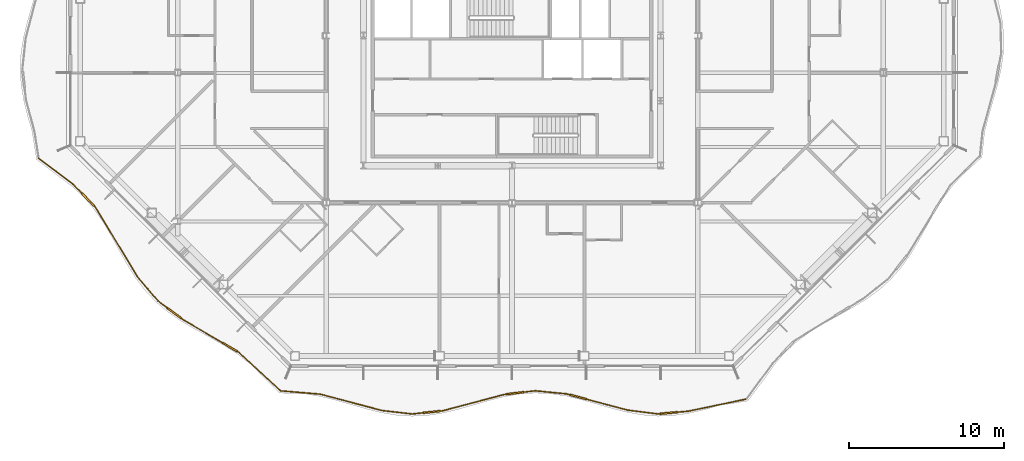
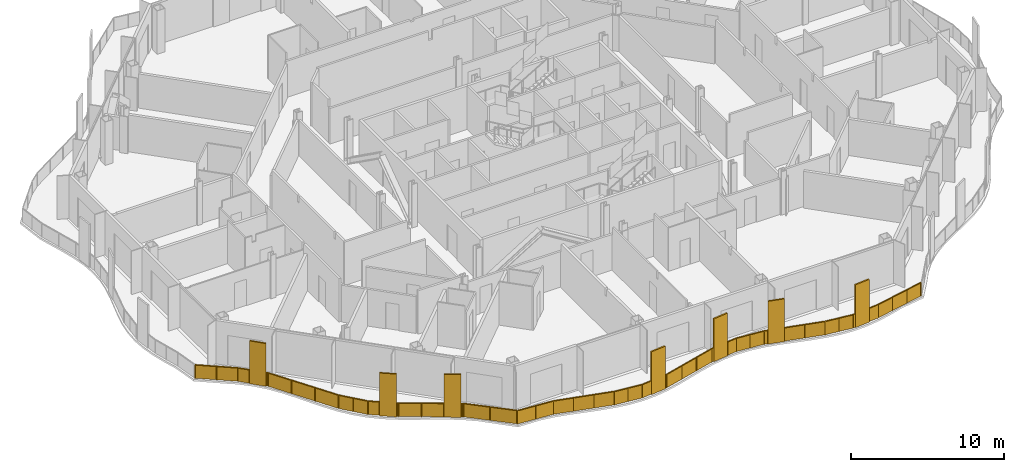
# One storey, part 15 of 21: 2 railings.
"""IFC4 building model written with IfcOpenShell, lengths in metres."""

from ifc_helpers import new_model, si_unit, direction, frame, origin, origin_2d, place, context, subcontext, project, spatial, polyline, rectangle, outline, extrude, material, type_object, element, save


model = new_model("IFC4")

# Units and contexts
model_context = context("Model", 3, precision=1e-05, world=origin(), true_north=direction((0.0, 1.0)))
body_context = subcontext(model_context, "Body", "Model", "MODEL_VIEW")
ifc_project = project(units=[si_unit("LENGTHUNIT", "METRE"), si_unit("AREAUNIT", "SQUARE_METRE"), si_unit("VOLUMEUNIT", "CUBIC_METRE"), si_unit("PLANEANGLEUNIT", "RADIAN"), si_unit("MASSUNIT", "GRAM", prefix="KILO")], contexts=[model_context])

# Site, building, storey
site_placement = place(None, origin())
site = spatial("IfcSite", under=ifc_project, at=site_placement, CompositionType="ELEMENT")
building_placement = place(site_placement, origin())
building = spatial("IfcBuilding", under=site, at=building_placement, Name="Cairn Pilgrim Tower", CompositionType="ELEMENT")
storey_placement = place(building_placement, frame((0.0, 0.0, 154.199951171875)))
storey = spatial("IfcBuildingStorey", under=building, at=storey_placement, Name="L38", CompositionType="ELEMENT", Elevation=154.199951171875)

# Railings
ifc_material = material(Name="Bronze anodised aluminium rail, posts and fin screens with laminated glass infill", Category="aluminium")
railing_type = type_object("IfcRailingType", Name="BALCONY GUARD WITH FIN SCREENS", PredefinedType="GUARDRAIL", material=ifc_material)
railing_1_placement = place(storey_placement, frame((-7.75732421875, -20.5546875, 0.0)))
element("IfcRailing", 1, at=railing_1_placement, inside=storey, type_object=railing_type, Name="Balcony guard BGF-1 with fin screens", PredefinedType="GUARDRAIL", context=body_context, shape_type="SweptSolid", body=[
    extrude(rectangle(XDim=0.050048828125, YDim=0.050048828125, at=origin_2d()), frame((0.0, 0.0, 1.0751953125), z_axis=(0.996560763813, -0.082865216035, 0.0), x_axis=(0.082865216035, 0.996560763813, 0.0)), (0.0, 0.0, 1.0), 2.577880859375),
    extrude(rectangle(XDim=0.050048828125, YDim=0.050048828125, at=origin_2d()), frame((2.569091796875, -0.213623046875, 1.0751953125), z_axis=(0.966494562134, -0.256687088426, 0.0), x_axis=(0.256687088426, 0.966494562134, 0.0)), (0.0, 0.0, 1.0), 4.112548828125),
    extrude(rectangle(XDim=0.050048828125, YDim=0.050048828125, at=origin_2d()), frame((6.5439453125, -1.269287109375, 1.0751953125), z_axis=(0.993477082591, -0.114031953273, 0.0), x_axis=(0.114031953273, 0.993477082591, 0.0)), (0.0, 0.0, 1.0), 1.971923828125),
    extrude(rectangle(XDim=1.10009765625, YDim=0.110107421875, at=origin_2d()), frame((9.764892578125, -1.36376953125, 0.0), z_axis=(0.0, 0.0, 1.0), x_axis=(0.99470141865, 0.102806068578, 0.0)), (0.0, 0.0, 1.0), 3.39990234375),
    extrude(rectangle(XDim=0.050048828125, YDim=0.050048828125, at=origin_2d()), frame((8.5029296875, -1.494140625, 1.0751953125), z_axis=(0.99470141865, 0.102806068578, 0.0), x_axis=(-0.102806068578, 0.99470141865, 0.0)), (0.0, 0.0, 1.0), 0.71875),
    extrude(rectangle(XDim=0.050048828125, YDim=0.050048828125, at=origin_2d()), frame((10.31201171875, -1.30712890625, 1.0751953125), z_axis=(0.99470141865, 0.102806068578, 0.0), x_axis=(-0.102806068578, 0.99470141865, 0.0)), (0.0, 0.0, 1.0), 0.14990234375),
    extrude(rectangle(XDim=0.050048828125, YDim=0.050048828125, at=origin_2d()), frame((10.461181640625, -1.291748046875, 1.0751953125), z_axis=(0.96653901121, 0.25651966749, 0.0), x_axis=(-0.25651966749, 0.96653901121, 0.0)), (0.0, 0.0, 1.0), 4.108642578125),
    extrude(rectangle(XDim=1.10009765625, YDim=0.110107421875, at=origin_2d()), frame((15.1689453125, -0.14892578125, 0.0), z_axis=(0.0, 0.0, 1.0), x_axis=(0.992811163519, 0.119691242758, 0.0)), (0.0, 0.0, 1.0), 3.39990234375),
    extrude(rectangle(XDim=0.050048828125, YDim=0.050048828125, at=origin_2d()), frame((14.432373046875, -0.23779296875, 1.0751953125), z_axis=(0.992811163519, 0.119691242758, 0.0), x_axis=(-0.119691242758, 0.992811163519, 0.0)), (0.0, 0.0, 1.0), 0.19189453125),
    extrude(rectangle(XDim=0.050048828125, YDim=0.050048828125, at=origin_2d()), frame((15.71484375, -0.083251953125, 1.0751953125), z_axis=(0.992811163519, 0.119691242758, 0.0), x_axis=(-0.119691242758, 0.992811163519, 0.0)), (0.0, 0.0, 1.0), 0.73583984375),
    extrude(rectangle(XDim=0.050048828125, YDim=0.050048828125, at=origin_2d()), frame((16.4453125, 0.0048828125, 1.0751953125), z_axis=(0.995275486759, -0.097091222351, 0.0), x_axis=(0.097091222351, 0.995275486759, 0.0)), (0.0, 0.0, 1.0), 2.024169921875),
    extrude(rectangle(XDim=1.10009765625, YDim=0.110107421875, at=origin_2d()), frame((19.22705078125, -0.39501953125, 0.0), z_axis=(0.0, 0.0, 1.0), x_axis=(0.966589784713, -0.256328281873, 0.0)), (0.0, 0.0, 1.0), 3.39990234375),
    extrude(rectangle(XDim=0.050048828125, YDim=0.050048828125, at=origin_2d()), frame((18.4599609375, -0.191650390625, 1.0751953125), z_axis=(0.966589784713, -0.256328281873, 0.0), x_axis=(0.256328281873, 0.966589784713, 0.0)), (0.0, 0.0, 1.0), 0.24365234375),
    extrude(rectangle(XDim=0.050048828125, YDim=0.050048828125, at=origin_2d()), frame((19.7587890625, -0.5361328125, 1.0751953125), z_axis=(0.966589784713, -0.256328281873, 0.0), x_axis=(0.256328281873, 0.966589784713, 0.0)), (0.0, 0.0, 1.0), 2.76806640625),
    extrude(rectangle(XDim=0.050048828125, YDim=0.050048828125, at=origin_2d()), frame((22.434326171875, -1.24560546875, 1.0751953125), z_axis=(0.992132705095, -0.125190636555, 0.0), x_axis=(0.125190636555, 0.992132705095, 0.0)), (0.0, 0.0, 1.0), 1.9755859375),
    extrude(rectangle(XDim=1.10009765625, YDim=0.110107421875, at=origin_2d()), frame((25.091552734375, -1.428955078125, 0.0), z_axis=(0.0, 0.0, 1.0), x_axis=(0.995818705168, 0.091351554109, 0.0)), (0.0, 0.0, 1.0), 3.39990234375),
    extrude(rectangle(XDim=0.050048828125, YDim=0.050048828125, at=origin_2d()), frame((24.394287109375, -1.492919921875, 1.0751953125), z_axis=(0.995818705168, 0.091351554109, 0.0), x_axis=(-0.091351554109, 0.995818705168, 0.0)), (0.0, 0.0, 1.0), 0.150146484375),
    extrude(rectangle(XDim=0.050048828125, YDim=0.050048828125, at=origin_2d()), frame((25.63916015625, -1.378662109375, 1.0751953125), z_axis=(0.995818705168, 0.091351554109, 0.0), x_axis=(-0.091351554109, 0.995818705168, 0.0)), (0.0, 0.0, 1.0), 0.719482421875),
    extrude(rectangle(XDim=0.050048828125, YDim=0.050048828125, at=origin_2d()), frame((26.355712890625, -1.31298828125, 1.0751953125), z_axis=(0.978817480653, 0.204734803022, 0.0), x_axis=(-0.204734803022, 0.978817480653, 0.0)), (0.0, 0.0, 1.0), 3.771728515625),
    extrude(rectangle(XDim=0.050048828125, YDim=0.050048828125, at=origin_2d()), origin(), (0.0, 0.0, 1.0), 1.050048828125),
    extrude(rectangle(XDim=0.050048828125, YDim=0.050048828125, at=origin_2d()), frame((1.28466796875, -0.10693359375, 0.0)), (0.0, 0.0, 1.0), 1.050048828125),
    extrude(rectangle(XDim=0.050048828125, YDim=0.050048828125, at=origin_2d()), frame((2.569091796875, -0.213623046875, 0.0)), (0.0, 0.0, 1.0), 1.050048828125),
    extrude(rectangle(XDim=0.050048828125, YDim=0.050048828125, at=origin_2d()), frame((3.89404296875, -0.5654296875, 0.0)), (0.0, 0.0, 1.0), 1.050048828125),
    extrude(rectangle(XDim=0.050048828125, YDim=0.050048828125, at=origin_2d()), frame((5.218994140625, -0.91748046875, 0.0)), (0.0, 0.0, 1.0), 1.050048828125),
    extrude(rectangle(XDim=0.050048828125, YDim=0.050048828125, at=origin_2d()), frame((6.5439453125, -1.269287109375, 0.0)), (0.0, 0.0, 1.0), 1.050048828125),
    extrude(rectangle(XDim=0.050048828125, YDim=0.050048828125, at=origin_2d()), frame((7.5234375, -1.3818359375, 0.0)), (0.0, 0.0, 1.0), 1.050048828125),
    extrude(rectangle(XDim=0.050048828125, YDim=0.050048828125, at=origin_2d()), frame((8.5029296875, -1.494140625, 0.0)), (0.0, 0.0, 1.0), 1.050048828125),
    extrude(rectangle(XDim=0.050048828125, YDim=0.050048828125, at=origin_2d()), frame((9.19287109375, -1.4228515625, 0.0)), (0.0, 0.0, 1.0), 1.050048828125),
    extrude(rectangle(XDim=0.050048828125, YDim=0.050048828125, at=origin_2d()), frame((10.3369140625, -1.3046875, 0.0)), (0.0, 0.0, 1.0), 1.050048828125),
    extrude(rectangle(XDim=0.050048828125, YDim=0.050048828125, at=origin_2d()), frame((10.461181640625, -1.291748046875, 0.0)), (0.0, 0.0, 1.0), 1.050048828125),
    extrude(rectangle(XDim=0.050048828125, YDim=0.050048828125, at=origin_2d()), frame((11.784912109375, -0.9404296875, 0.0)), (0.0, 0.0, 1.0), 1.050048828125),
    extrude(rectangle(XDim=0.050048828125, YDim=0.050048828125, at=origin_2d()), frame((13.108642578125, -0.589111328125, 0.0)), (0.0, 0.0, 1.0), 1.050048828125),
    extrude(rectangle(XDim=0.050048828125, YDim=0.050048828125, at=origin_2d()), frame((14.432373046875, -0.23779296875, 0.0)), (0.0, 0.0, 1.0), 1.050048828125),
    extrude(rectangle(XDim=0.050048828125, YDim=0.050048828125, at=origin_2d()), frame((14.597900390625, -0.2177734375, 0.0)), (0.0, 0.0, 1.0), 1.050048828125),
    extrude(rectangle(XDim=0.050048828125, YDim=0.050048828125, at=origin_2d()), frame((15.73974609375, -0.080078125, 0.0)), (0.0, 0.0, 1.0), 1.050048828125),
    extrude(rectangle(XDim=0.050048828125, YDim=0.050048828125, at=origin_2d()), frame((16.4453125, 0.0048828125, 0.0)), (0.0, 0.0, 1.0), 1.050048828125),
    extrude(rectangle(XDim=0.050048828125, YDim=0.050048828125, at=origin_2d()), frame((17.45263671875, -0.09326171875, 0.0)), (0.0, 0.0, 1.0), 1.050048828125),
    extrude(rectangle(XDim=0.050048828125, YDim=0.050048828125, at=origin_2d()), frame((18.4599609375, -0.191650390625, 0.0)), (0.0, 0.0, 1.0), 1.050048828125),
    extrude(rectangle(XDim=0.050048828125, YDim=0.050048828125, at=origin_2d()), frame((18.67138671875, -0.247802734375, 0.0)), (0.0, 0.0, 1.0), 1.050048828125),
    extrude(rectangle(XDim=0.050048828125, YDim=0.050048828125, at=origin_2d()), frame((19.782958984375, -0.54248046875, 0.0)), (0.0, 0.0, 1.0), 1.050048828125),
    extrude(rectangle(XDim=0.050048828125, YDim=0.050048828125, at=origin_2d()), frame((21.108642578125, -0.89404296875, 0.0)), (0.0, 0.0, 1.0), 1.050048828125),
    extrude(rectangle(XDim=0.050048828125, YDim=0.050048828125, at=origin_2d()), frame((22.434326171875, -1.24560546875, 0.0)), (0.0, 0.0, 1.0), 1.050048828125),
    extrude(rectangle(XDim=0.050048828125, YDim=0.050048828125, at=origin_2d()), frame((23.414306640625, -1.369140625, 0.0)), (0.0, 0.0, 1.0), 1.050048828125),
    extrude(rectangle(XDim=0.050048828125, YDim=0.050048828125, at=origin_2d()), frame((24.394287109375, -1.492919921875, 0.0)), (0.0, 0.0, 1.0), 1.050048828125),
    extrude(rectangle(XDim=0.050048828125, YDim=0.050048828125, at=origin_2d()), frame((24.518798828125, -1.4814453125, 0.0)), (0.0, 0.0, 1.0), 1.050048828125),
    extrude(rectangle(XDim=0.050048828125, YDim=0.050048828125, at=origin_2d()), frame((25.6640625, -1.37646484375, 0.0)), (0.0, 0.0, 1.0), 1.050048828125),
    extrude(rectangle(XDim=0.050048828125, YDim=0.050048828125, at=origin_2d()), frame((26.355712890625, -1.31298828125, 0.0)), (0.0, 0.0, 1.0), 1.050048828125),
    extrude(rectangle(XDim=0.050048828125, YDim=0.050048828125, at=origin_2d()), frame((27.58642578125, -1.0556640625, 0.0)), (0.0, 0.0, 1.0), 1.050048828125),
    extrude(rectangle(XDim=0.050048828125, YDim=0.050048828125, at=origin_2d()), frame((28.81689453125, -0.798095703125, 0.0)), (0.0, 0.0, 1.0), 1.050048828125),
    extrude(rectangle(XDim=0.050048828125, YDim=0.050048828125, at=origin_2d()), frame((30.047607421875, -0.540771484375, 0.0)), (0.0, 0.0, 1.0), 1.050048828125),
    extrude(outline(polyline([(0.02490234375, 0.0), (1.263916015625, 0.0), (1.263916015625, 1.050048828125), (0.02490234375, 1.050048828125), (0.02490234375, 0.0)])), frame((0.00048828125, 0.005859375, 0.0), z_axis=(-0.082865216035, -0.996560763813, 0.0), x_axis=(0.996560763813, -0.082865216035, 0.0)), (0.0, 0.0, 1.0), 0.011962890625),
    extrude(outline(polyline([(0.02490234375, 0.0), (1.263916015625, 0.0), (1.263916015625, 1.050048828125), (0.02490234375, 1.050048828125), (0.02490234375, 0.0)])), frame((1.28515625, -0.100830078125, 0.0), z_axis=(-0.082865216035, -0.996560763813, 0.0), x_axis=(0.996560763813, -0.082865216035, 0.0)), (0.0, 0.0, 1.0), 0.011962890625),
    extrude(outline(polyline([(0.02490234375, 0.0), (1.345947265625, 0.0), (1.345947265625, 1.050048828125), (0.02490234375, 1.050048828125), (0.02490234375, 0.0)])), frame((2.570556640625, -0.207763671875, 0.0), z_axis=(-0.256687088426, -0.966494562134, 0.0), x_axis=(0.966494562134, -0.256687088426, 0.0)), (0.0, 0.0, 1.0), 0.011962890625),
    extrude(outline(polyline([(0.02490234375, 0.0), (1.345947265625, 0.0), (1.345947265625, 1.050048828125), (0.02490234375, 1.050048828125), (0.02490234375, 0.0)])), frame((3.8955078125, -0.559814453125, 0.0), z_axis=(-0.256687088426, -0.966494562134, 0.0), x_axis=(0.966494562134, -0.256687088426, 0.0)), (0.0, 0.0, 1.0), 0.011962890625),
    extrude(outline(polyline([(0.02490234375, 0.0), (1.345947265625, 0.0), (1.345947265625, 1.050048828125), (0.02490234375, 1.050048828125), (0.02490234375, 0.0)])), frame((5.220458984375, -0.91162109375, 0.0), z_axis=(-0.256687088426, -0.966494562134, 0.0), x_axis=(0.966494562134, -0.256687088426, 0.0)), (0.0, 0.0, 1.0), 0.011962890625),
    extrude(outline(polyline([(0.02490234375, 0.0), (0.9609375, 0.0), (0.9609375, 1.050048828125), (0.02490234375, 1.050048828125), (0.02490234375, 0.0)])), frame((6.544677734375, -1.263427734375, 0.0), z_axis=(-0.114031953273, -0.993477082591, 0.0), x_axis=(0.993477082591, -0.114031953273, 0.0)), (0.0, 0.0, 1.0), 0.011962890625),
    extrude(outline(polyline([(0.02490234375, 0.0), (0.9609375, 0.0), (0.9609375, 1.050048828125), (0.02490234375, 1.050048828125), (0.02490234375, 0.0)])), frame((7.524169921875, -1.375732421875, 0.0), z_axis=(-0.114031953273, -0.993477082591, 0.0), x_axis=(0.993477082591, -0.114031953273, 0.0)), (0.0, 0.0, 1.0), 0.011962890625),
    extrude(outline(polyline([(0.02490234375, 0.0), (0.668701171875, 0.0), (0.668701171875, 1.050048828125), (0.02490234375, 1.050048828125), (0.02490234375, 0.0)])), frame((8.502197265625, -1.48828125, 0.0), z_axis=(0.102806068578, -0.99470141865, 0.0), x_axis=(0.99470141865, 0.102806068578, 0.0)), (0.0, 0.0, 1.0), 0.011962890625),
    extrude(outline(polyline([(0.02490234375, 0.0), (0.099853515625, 0.0), (0.099853515625, 1.050048828125), (0.02490234375, 1.050048828125), (0.02490234375, 0.0)])), frame((10.33642578125, -1.298583984375, 0.0), z_axis=(0.102806068578, -0.99470141865, 0.0), x_axis=(0.99470141865, 0.102806068578, 0.0)), (0.0, 0.0, 1.0), 0.011962890625),
    extrude(outline(polyline([(0.02490234375, 0.0), (1.344482421875, 0.0), (1.344482421875, 1.050048828125), (0.02490234375, 1.050048828125), (0.02490234375, 0.0)])), frame((10.459716796875, -1.285888671875, 0.0), z_axis=(0.25651966749, -0.96653901121, 0.0), x_axis=(0.96653901121, 0.25651966749, 0.0)), (0.0, 0.0, 1.0), 0.011962890625),
    extrude(outline(polyline([(0.02490234375, 0.0), (1.344482421875, 0.0), (1.344482421875, 1.050048828125), (0.02490234375, 1.050048828125), (0.02490234375, 0.0)])), frame((11.783447265625, -0.9345703125, 0.0), z_axis=(0.25651966749, -0.96653901121, 0.0), x_axis=(0.96653901121, 0.25651966749, 0.0)), (0.0, 0.0, 1.0), 0.011962890625),
    extrude(outline(polyline([(0.02490234375, 0.0), (1.344482421875, 0.0), (1.344482421875, 1.050048828125), (0.02490234375, 1.050048828125), (0.02490234375, 0.0)])), frame((13.107177734375, -0.583251953125, 0.0), z_axis=(0.25651966749, -0.96653901121, 0.0), x_axis=(0.96653901121, 0.25651966749, 0.0)), (0.0, 0.0, 1.0), 0.011962890625),
    extrude(outline(polyline([(0.02490234375, 0.0), (0.141845703125, 0.0), (0.141845703125, 1.050048828125), (0.02490234375, 1.050048828125), (0.02490234375, 0.0)])), frame((14.431640625, -0.23193359375, 0.0), z_axis=(0.119691242758, -0.992811163519, 0.0), x_axis=(0.992811163519, 0.119691242758, 0.0)), (0.0, 0.0, 1.0), 0.011962890625),
    extrude(outline(polyline([(0.02490234375, 0.0), (0.685791015625, 0.0), (0.685791015625, 1.050048828125), (0.02490234375, 1.050048828125), (0.02490234375, 0.0)])), frame((15.739013671875, -0.07421875, 0.0), z_axis=(0.119691242758, -0.992811163519, 0.0), x_axis=(0.992811163519, 0.119691242758, 0.0)), (0.0, 0.0, 1.0), 0.011962890625),
    extrude(outline(polyline([(0.02490234375, 0.0), (0.987060546875, 0.0), (0.987060546875, 1.050048828125), (0.02490234375, 1.050048828125), (0.02490234375, 0.0)])), frame((16.44580078125, 0.0107421875, 0.0), z_axis=(-0.097091222351, -0.995275486759, 0.0), x_axis=(0.995275486759, -0.097091222351, 0.0)), (0.0, 0.0, 1.0), 0.011962890625),
    extrude(outline(polyline([(0.02490234375, 0.0), (0.987060546875, 0.0), (0.987060546875, 1.050048828125), (0.02490234375, 1.050048828125), (0.02490234375, 0.0)])), frame((17.453125, -0.08740234375, 0.0), z_axis=(-0.097091222351, -0.995275486759, 0.0), x_axis=(0.995275486759, -0.097091222351, 0.0)), (0.0, 0.0, 1.0), 0.011962890625),
    extrude(outline(polyline([(0.02490234375, 0.0), (0.193603515625, 0.0), (0.193603515625, 1.050048828125), (0.02490234375, 1.050048828125), (0.02490234375, 0.0)])), frame((18.46142578125, -0.185791015625, 0.0), z_axis=(-0.256328281873, -0.966589784713, 0.0), x_axis=(0.966589784713, -0.256328281873, 0.0)), (0.0, 0.0, 1.0), 0.011962890625),
    extrude(outline(polyline([(0.02490234375, 0.0), (1.346435546875, 0.0), (1.346435546875, 1.050048828125), (0.02490234375, 1.050048828125), (0.02490234375, 0.0)])), frame((19.784423828125, -0.53662109375, 0.0), z_axis=(-0.256328281873, -0.966589784713, 0.0), x_axis=(0.966589784713, -0.256328281873, 0.0)), (0.0, 0.0, 1.0), 0.011962890625),
    extrude(outline(polyline([(0.02490234375, 0.0), (1.346435546875, 0.0), (1.346435546875, 1.050048828125), (0.02490234375, 1.050048828125), (0.02490234375, 0.0)])), frame((21.110107421875, -0.88818359375, 0.0), z_axis=(-0.256328281873, -0.966589784713, 0.0), x_axis=(0.966589784713, -0.256328281873, 0.0)), (0.0, 0.0, 1.0), 0.011962890625),
    extrude(outline(polyline([(0.02490234375, 0.0), (0.962646484375, 0.0), (0.962646484375, 1.050048828125), (0.02490234375, 1.050048828125), (0.02490234375, 0.0)])), frame((22.43505859375, -1.23974609375, 0.0), z_axis=(-0.125190636555, -0.992132705095, 0.0), x_axis=(0.992132705095, -0.125190636555, 0.0)), (0.0, 0.0, 1.0), 0.011962890625),
    extrude(outline(polyline([(0.02490234375, 0.0), (0.962646484375, 0.0), (0.962646484375, 1.050048828125), (0.02490234375, 1.050048828125), (0.02490234375, 0.0)])), frame((23.4150390625, -1.36328125, 0.0), z_axis=(-0.125190636555, -0.992132705095, 0.0), x_axis=(0.992132705095, -0.125190636555, 0.0)), (0.0, 0.0, 1.0), 0.011962890625),
    extrude(outline(polyline([(0.02490234375, 0.0), (0.10009765625, 0.0), (0.10009765625, 1.050048828125), (0.02490234375, 1.050048828125), (0.02490234375, 0.0)])), frame((24.393798828125, -1.487060546875, 0.0), z_axis=(0.091351554109, -0.995818705168, 0.0), x_axis=(0.995818705168, 0.091351554109, 0.0)), (0.0, 0.0, 1.0), 0.011962890625),
    extrude(outline(polyline([(0.02490234375, 0.0), (0.66943359375, 0.0), (0.66943359375, 1.050048828125), (0.02490234375, 1.050048828125), (0.02490234375, 0.0)])), frame((25.66357421875, -1.370361328125, 0.0), z_axis=(0.091351554109, -0.995818705168, 0.0), x_axis=(0.995818705168, 0.091351554109, 0.0)), (0.0, 0.0, 1.0), 0.011962890625),
    extrude(outline(polyline([(0.02490234375, 0.0), (1.232177734375, 0.0), (1.232177734375, 1.050048828125), (0.02490234375, 1.050048828125), (0.02490234375, 0.0)])), frame((26.3544921875, -1.30712890625, 0.0), z_axis=(0.204734803022, -0.978817480653, 0.0), x_axis=(0.978817480653, 0.204734803022, 0.0)), (0.0, 0.0, 1.0), 0.011962890625),
    extrude(outline(polyline([(0.02490234375, 0.0), (1.232177734375, 0.0), (1.232177734375, 1.050048828125), (0.02490234375, 1.050048828125), (0.02490234375, 0.0)])), frame((27.585205078125, -1.0498046875, 0.0), z_axis=(0.204734803022, -0.978817480653, 0.0), x_axis=(0.978817480653, 0.204734803022, 0.0)), (0.0, 0.0, 1.0), 0.011962890625),
    extrude(outline(polyline([(0.02490234375, 0.0), (1.232177734375, 0.0), (1.232177734375, 1.050048828125), (0.02490234375, 1.050048828125), (0.02490234375, 0.0)])), frame((28.815673828125, -0.792236328125, 0.0), z_axis=(0.204734803022, -0.978817480653, 0.0), x_axis=(0.978817480653, 0.204734803022, 0.0)), (0.0, 0.0, 1.0), 0.011962890625),
])
railing_2_placement = place(storey_placement, frame((-23.39892578125, -5.519287109375, 0.0)))
element("IfcRailing", 2, at=railing_2_placement, inside=storey, type_object=railing_type, Name="Balcony guard BGF-8 with fin screens", PredefinedType="GUARDRAIL", context=body_context, shape_type="SweptSolid", body=[
    extrude(rectangle(XDim=0.050048828125, YDim=0.050048828125, at=origin_2d()), frame((0.0, 0.0, 1.0751953125), z_axis=(0.797612560226, -0.60317012838, 0.0), x_axis=(0.60317012838, 0.797612560226, 0.0)), (0.0, 0.0, 1.0), 2.817626953125),
    extrude(rectangle(XDim=1.10009765625, YDim=0.110107421875, at=origin_2d()), frame((3.196533203125, -2.680908203125, 0.0), z_axis=(0.0, 0.0, 1.0), x_axis=(0.695187068694, -0.718828866644, 0.0)), (0.0, 0.0, 1.0), 3.39990234375),
    extrude(rectangle(XDim=0.050048828125, YDim=0.050048828125, at=origin_2d()), frame((2.247314453125, -1.699462890625, 1.0751953125), z_axis=(0.695187068694, -0.718828866644, 0.0), x_axis=(0.718828866644, 0.695187068694, 0.0)), (0.0, 0.0, 1.0), 0.815185546875),
    extrude(rectangle(XDim=0.050048828125, YDim=0.050048828125, at=origin_2d()), frame((3.578857421875, -3.076171875, 1.0751953125), z_axis=(0.695187068694, -0.718828866644, 0.0), x_axis=(0.718828866644, 0.695187068694, 0.0)), (0.0, 0.0, 1.0), 0.150146484375),
    extrude(rectangle(XDim=0.050048828125, YDim=0.050048828125, at=origin_2d()), frame((3.68310546875, -3.18408203125, 1.0751953125), z_axis=(0.517489052786, -0.855689827126, 0.0), x_axis=(0.855689827126, 0.517489052786, 0.0)), (0.0, 0.0, 1.0), 5.248046875),
    extrude(rectangle(XDim=0.050048828125, YDim=0.050048828125, at=origin_2d()), frame((6.39892578125, -7.6748046875, 1.0751953125), z_axis=(0.648232290707, -0.76144264215, 0.0), x_axis=(0.76144264215, 0.648232290707, 0.0)), (0.0, 0.0, 1.0), 2.01416015625),
    extrude(rectangle(XDim=1.10009765625, YDim=0.110107421875, at=origin_2d()), frame((8.7685546875, -10.009033203125, 0.0), z_axis=(0.0, 0.0, 1.0), x_axis=(0.799061637485, -0.601249116008, 0.0)), (0.0, 0.0, 1.0), 3.39990234375),
    extrude(rectangle(XDim=0.050048828125, YDim=0.050048828125, at=origin_2d()), frame((7.70458984375, -9.20849609375, 1.0751953125), z_axis=(0.799061637485, -0.601249116008, 0.0), x_axis=(0.601249116008, 0.799061637485, 0.0)), (0.0, 0.0, 1.0), 0.781494140625),
    extrude(rectangle(XDim=0.050048828125, YDim=0.050048828125, at=origin_2d()), frame((9.2080078125, -10.33984375, 1.0751953125), z_axis=(0.799061637485, -0.601249116008, 0.0), x_axis=(0.601249116008, 0.799061637485, 0.0)), (0.0, 0.0, 1.0), 0.14990234375),
    extrude(rectangle(XDim=1.10009765625, YDim=0.110107421875, at=origin_2d()), frame((12.36328125, -12.207275390625, 0.0), z_axis=(0.0, 0.0, 1.0), x_axis=(0.86293997727, -0.505306437351, 0.0)), (0.0, 0.0, 1.0), 3.39990234375),
    extrude(rectangle(XDim=0.050048828125, YDim=0.050048828125, at=origin_2d()), frame((9.327880859375, -10.429931640625, 1.0751953125), z_axis=(0.86293997727, -0.505306437351, 0.0), x_axis=(0.505306437351, 0.86293997727, 0.0)), (0.0, 0.0, 1.0), 2.967529296875),
    extrude(rectangle(XDim=0.050048828125, YDim=0.050048828125, at=origin_2d()), frame((12.837890625, -12.4853515625, 1.0751953125), z_axis=(0.86293997727, -0.505306437351, 0.0), x_axis=(0.505306437351, 0.86293997727, 0.0)), (0.0, 0.0, 1.0), 0.14990234375),
    extrude(rectangle(XDim=0.050048828125, YDim=0.050048828125, at=origin_2d()), frame((12.96728515625, -12.56103515625, 1.0751953125), z_axis=(0.733964427182, -0.67918791187, 0.0), x_axis=(0.67918791187, 0.733964427182, 0.0)), (0.0, 0.0, 1.0), 3.58349609375),
    extrude(rectangle(XDim=0.050048828125, YDim=0.050048828125, at=origin_2d()), origin(), (0.0, 0.0, 1.0), 1.050048828125),
    extrude(rectangle(XDim=0.050048828125, YDim=0.050048828125, at=origin_2d()), frame((1.12353515625, -0.849609375, 0.0)), (0.0, 0.0, 1.0), 1.050048828125),
    extrude(rectangle(XDim=0.050048828125, YDim=0.050048828125, at=origin_2d()), frame((2.247314453125, -1.699462890625, 0.0)), (0.0, 0.0, 1.0), 1.050048828125),
    extrude(rectangle(XDim=0.050048828125, YDim=0.050048828125, at=origin_2d()), frame((2.796630859375, -2.267578125, 0.0)), (0.0, 0.0, 1.0), 1.050048828125),
    extrude(rectangle(XDim=0.050048828125, YDim=0.050048828125, at=origin_2d()), frame((3.59619140625, -3.09423828125, 0.0)), (0.0, 0.0, 1.0), 1.050048828125),
    extrude(rectangle(XDim=0.050048828125, YDim=0.050048828125, at=origin_2d()), frame((3.68310546875, -3.18408203125, 0.0)), (0.0, 0.0, 1.0), 1.050048828125),
    extrude(rectangle(XDim=0.050048828125, YDim=0.050048828125, at=origin_2d()), frame((4.58837890625, -4.680908203125, 0.0)), (0.0, 0.0, 1.0), 1.050048828125),
    extrude(rectangle(XDim=0.050048828125, YDim=0.050048828125, at=origin_2d()), frame((5.49365234375, -6.177978515625, 0.0)), (0.0, 0.0, 1.0), 1.050048828125),
    extrude(rectangle(XDim=0.050048828125, YDim=0.050048828125, at=origin_2d()), frame((6.39892578125, -7.6748046875, 0.0)), (0.0, 0.0, 1.0), 1.050048828125),
    extrude(rectangle(XDim=0.050048828125, YDim=0.050048828125, at=origin_2d()), frame((7.0517578125, -8.441650390625, 0.0)), (0.0, 0.0, 1.0), 1.050048828125),
    extrude(rectangle(XDim=0.050048828125, YDim=0.050048828125, at=origin_2d()), frame((7.70458984375, -9.20849609375, 0.0)), (0.0, 0.0, 1.0), 1.050048828125),
    extrude(rectangle(XDim=0.050048828125, YDim=0.050048828125, at=origin_2d()), frame((8.30908203125, -9.663330078125, 0.0)), (0.0, 0.0, 1.0), 1.050048828125),
    extrude(rectangle(XDim=0.050048828125, YDim=0.050048828125, at=origin_2d()), frame((9.22802734375, -10.354736328125, 0.0)), (0.0, 0.0, 1.0), 1.050048828125),
    extrude(rectangle(XDim=0.050048828125, YDim=0.050048828125, at=origin_2d()), frame((9.327880859375, -10.429931640625, 0.0)), (0.0, 0.0, 1.0), 1.050048828125),
    extrude(rectangle(XDim=0.050048828125, YDim=0.050048828125, at=origin_2d()), frame((10.597412109375, -11.17333984375, 0.0)), (0.0, 0.0, 1.0), 1.050048828125),
    extrude(rectangle(XDim=0.050048828125, YDim=0.050048828125, at=origin_2d()), frame((11.866943359375, -11.916748046875, 0.0)), (0.0, 0.0, 1.0), 1.050048828125),
    extrude(rectangle(XDim=0.050048828125, YDim=0.050048828125, at=origin_2d()), frame((12.859375, -12.497802734375, 0.0)), (0.0, 0.0, 1.0), 1.050048828125),
    extrude(rectangle(XDim=0.050048828125, YDim=0.050048828125, at=origin_2d()), frame((12.96728515625, -12.56103515625, 0.0)), (0.0, 0.0, 1.0), 1.050048828125),
    extrude(rectangle(XDim=0.050048828125, YDim=0.050048828125, at=origin_2d()), frame((14.2822265625, -13.77783203125, 0.0)), (0.0, 0.0, 1.0), 1.050048828125),
    extrude(rectangle(XDim=0.050048828125, YDim=0.050048828125, at=origin_2d()), frame((15.597412109375, -14.994873046875, 0.0)), (0.0, 0.0, 1.0), 1.050048828125),
    extrude(outline(polyline([(0.02490234375, 0.0), (1.3837890625, 0.0), (1.3837890625, 1.050048828125), (0.02490234375, 1.050048828125), (0.02490234375, 0.0)])), frame((0.003662109375, 0.0048828125, 0.0), z_axis=(-0.60317012838, -0.797612560226, 0.0), x_axis=(0.797612560226, -0.60317012838, 0.0)), (0.0, 0.0, 1.0), 0.011962890625),
    extrude(outline(polyline([(0.02490234375, 0.0), (1.3837890625, 0.0), (1.3837890625, 1.050048828125), (0.02490234375, 1.050048828125), (0.02490234375, 0.0)])), frame((1.127197265625, -0.844970703125, 0.0), z_axis=(-0.60317012838, -0.797612560226, 0.0), x_axis=(0.797612560226, -0.60317012838, 0.0)), (0.0, 0.0, 1.0), 0.011962890625),
    extrude(outline(polyline([(0.02490234375, 0.0), (0.76513671875, 0.0), (0.76513671875, 1.050048828125), (0.02490234375, 1.050048828125), (0.02490234375, 0.0)])), frame((2.251708984375, -1.6953125, 0.0), z_axis=(-0.718828866644, -0.695187068694, 0.0), x_axis=(0.695187068694, -0.718828866644, 0.0)), (0.0, 0.0, 1.0), 0.011962890625),
    extrude(outline(polyline([(0.02490234375, 0.0), (0.10009765625, 0.0), (0.10009765625, 1.050048828125), (0.02490234375, 1.050048828125), (0.02490234375, 0.0)])), frame((3.6005859375, -3.090087890625, 0.0), z_axis=(-0.718828866644, -0.695187068694, 0.0), x_axis=(0.695187068694, -0.718828866644, 0.0)), (0.0, 0.0, 1.0), 0.011962890625),
    extrude(outline(polyline([(0.02490234375, 0.0), (1.724365234375, 0.0), (1.724365234375, 1.050048828125), (0.02490234375, 1.050048828125), (0.02490234375, 0.0)])), frame((3.688232421875, -3.180908203125, 0.0), z_axis=(-0.855689827126, -0.517489052786, 0.0), x_axis=(0.517489052786, -0.855689827126, 0.0)), (0.0, 0.0, 1.0), 0.011962890625),
    extrude(outline(polyline([(0.02490234375, 0.0), (1.724365234375, 0.0), (1.724365234375, 1.050048828125), (0.02490234375, 1.050048828125), (0.02490234375, 0.0)])), frame((4.593505859375, -4.677978515625, 0.0), z_axis=(-0.855689827126, -0.517489052786, 0.0), x_axis=(0.517489052786, -0.855689827126, 0.0)), (0.0, 0.0, 1.0), 0.011962890625),
    extrude(outline(polyline([(0.02490234375, 0.0), (1.724365234375, 0.0), (1.724365234375, 1.050048828125), (0.02490234375, 1.050048828125), (0.02490234375, 0.0)])), frame((5.498779296875, -6.1748046875, 0.0), z_axis=(-0.855689827126, -0.517489052786, 0.0), x_axis=(0.517489052786, -0.855689827126, 0.0)), (0.0, 0.0, 1.0), 0.011962890625),
    extrude(outline(polyline([(0.02490234375, 0.0), (0.982177734375, 0.0), (0.982177734375, 1.050048828125), (0.02490234375, 1.050048828125), (0.02490234375, 0.0)])), frame((6.403564453125, -7.6708984375, 0.0), z_axis=(-0.76144264215, -0.648232290707, 0.0), x_axis=(0.648232290707, -0.76144264215, 0.0)), (0.0, 0.0, 1.0), 0.011962890625),
    extrude(outline(polyline([(0.02490234375, 0.0), (0.982177734375, 0.0), (0.982177734375, 1.050048828125), (0.02490234375, 1.050048828125), (0.02490234375, 0.0)])), frame((7.056396484375, -8.437744140625, 0.0), z_axis=(-0.76144264215, -0.648232290707, 0.0), x_axis=(0.648232290707, -0.76144264215, 0.0)), (0.0, 0.0, 1.0), 0.011962890625),
    extrude(outline(polyline([(0.02490234375, 0.0), (0.7314453125, 0.0), (0.7314453125, 1.050048828125), (0.02490234375, 1.050048828125), (0.02490234375, 0.0)])), frame((7.708251953125, -9.20361328125, 0.0), z_axis=(-0.601249116008, -0.799061637485, 0.0), x_axis=(0.799061637485, -0.601249116008, 0.0)), (0.0, 0.0, 1.0), 0.011962890625),
    extrude(outline(polyline([(0.02490234375, 0.0), (0.099853515625, 0.0), (0.099853515625, 1.050048828125), (0.02490234375, 1.050048828125), (0.02490234375, 0.0)])), frame((9.231689453125, -10.35009765625, 0.0), z_axis=(-0.601249116008, -0.799061637485, 0.0), x_axis=(0.799061637485, -0.601249116008, 0.0)), (0.0, 0.0, 1.0), 0.011962890625),
    extrude(outline(polyline([(0.02490234375, 0.0), (1.4462890625, 0.0), (1.4462890625, 1.050048828125), (0.02490234375, 1.050048828125), (0.02490234375, 0.0)])), frame((9.330810546875, -10.4248046875, 0.0), z_axis=(-0.505306437351, -0.86293997727, 0.0), x_axis=(0.86293997727, -0.505306437351, 0.0)), (0.0, 0.0, 1.0), 0.011962890625),
    extrude(outline(polyline([(0.02490234375, 0.0), (1.4462890625, 0.0), (1.4462890625, 1.050048828125), (0.02490234375, 1.050048828125), (0.02490234375, 0.0)])), frame((10.6005859375, -11.168212890625, 0.0), z_axis=(-0.505306437351, -0.86293997727, 0.0), x_axis=(0.86293997727, -0.505306437351, 0.0)), (0.0, 0.0, 1.0), 0.011962890625),
    extrude(outline(polyline([(0.02490234375, 0.0), (0.099853515625, 0.0), (0.099853515625, 1.050048828125), (0.02490234375, 1.050048828125), (0.02490234375, 0.0)])), frame((12.862548828125, -12.49267578125, 0.0), z_axis=(-0.505306437351, -0.86293997727, 0.0), x_axis=(0.86293997727, -0.505306437351, 0.0)), (0.0, 0.0, 1.0), 0.011962890625),
    extrude(outline(polyline([(0.02490234375, 0.0), (1.7666015625, 0.0), (1.7666015625, 1.050048828125), (0.02490234375, 1.050048828125), (0.02490234375, 0.0)])), frame((12.971435546875, -12.556640625, 0.0), z_axis=(-0.67918791187, -0.733964427182, 0.0), x_axis=(0.733964427182, -0.67918791187, 0.0)), (0.0, 0.0, 1.0), 0.011962890625),
    extrude(outline(polyline([(0.02490234375, 0.0), (1.7666015625, 0.0), (1.7666015625, 1.050048828125), (0.02490234375, 1.050048828125), (0.02490234375, 0.0)])), frame((14.286376953125, -13.773681640625, 0.0), z_axis=(-0.67918791187, -0.733964427182, 0.0), x_axis=(0.733964427182, -0.67918791187, 0.0)), (0.0, 0.0, 1.0), 0.011962890625),
])

save(model, "model.ifc")
